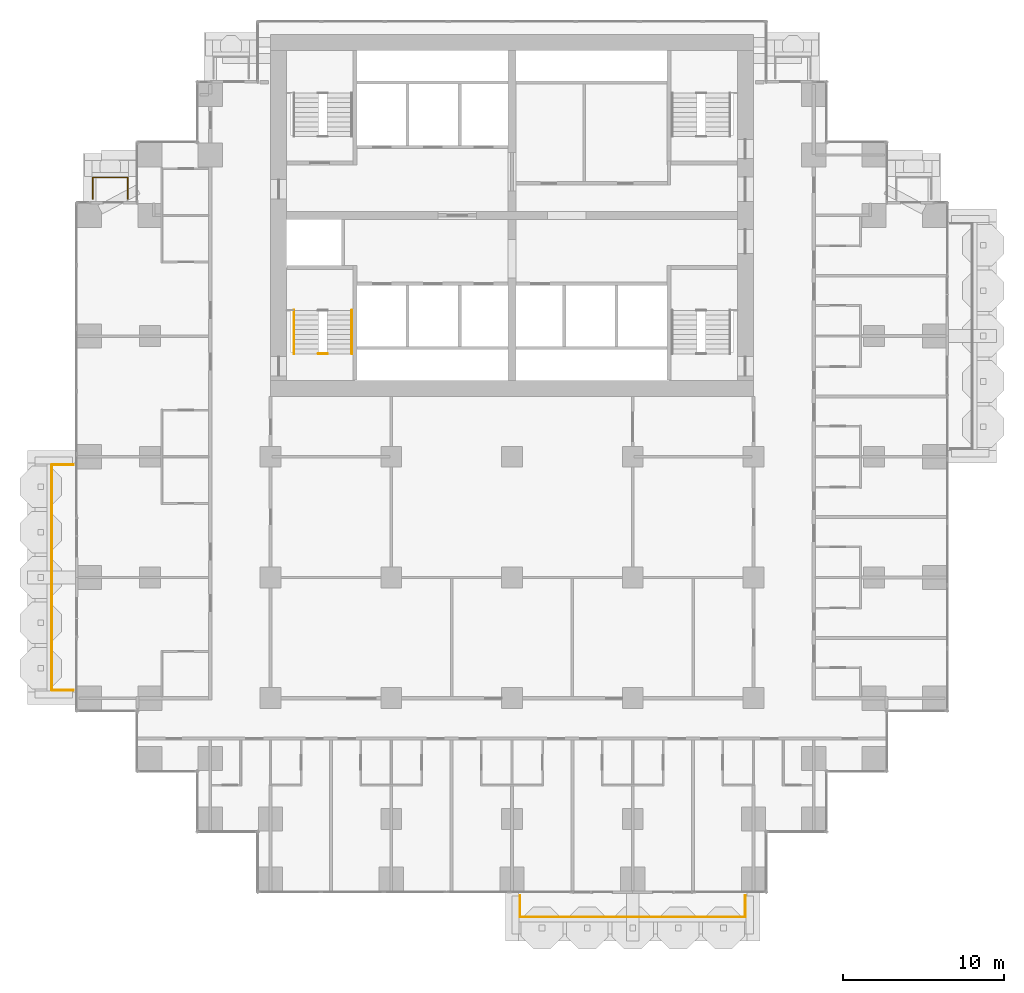
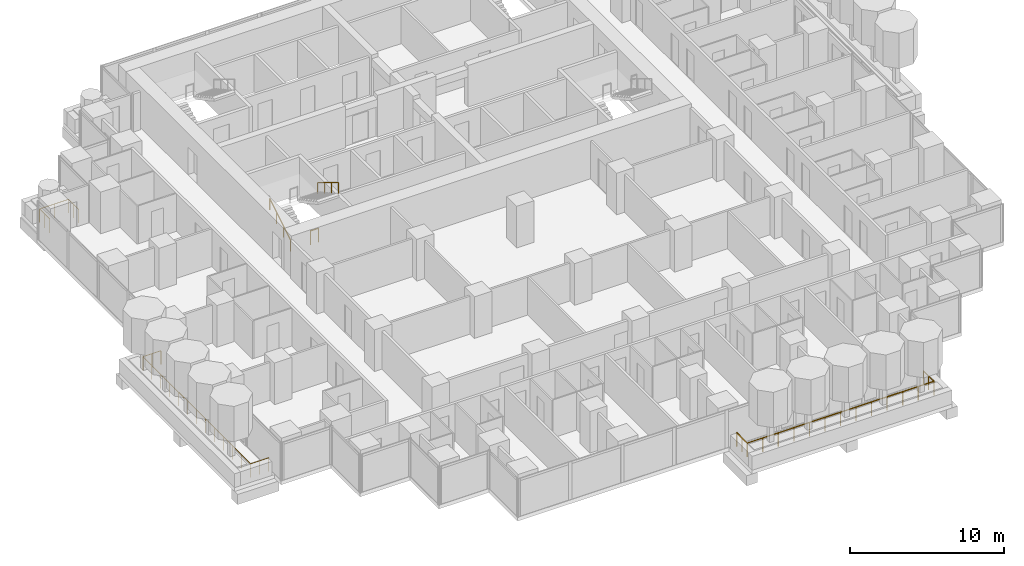
# One storey, part 18 of 20: 6 railings.
"""IFC4 building model written with IfcOpenShell, lengths in metres."""

from ifc_helpers import new_model, si_unit, direction, frame, origin, origin_2d, place, context, subcontext, project, spatial, circle, extrude, material, type_object, element, save


model = new_model("IFC4")

# Units and contexts
model_context = context("Model", 3, precision=1e-05, world=origin(), true_north=direction((0.0, 1.0)))
body_context = subcontext(model_context, "Body", "Model", "MODEL_VIEW")
ifc_project = project(units=[si_unit("LENGTHUNIT", "METRE"), si_unit("AREAUNIT", "SQUARE_METRE"), si_unit("VOLUMEUNIT", "CUBIC_METRE"), si_unit("PLANEANGLEUNIT", "RADIAN"), si_unit("MASSUNIT", "GRAM", prefix="KILO")], contexts=[model_context])

# Site, building, storey
site_placement = place(None, origin())
site = spatial("IfcSite", under=ifc_project, at=site_placement, CompositionType="ELEMENT")
building_placement = place(site_placement, origin())
building = spatial("IfcBuilding", under=site, at=building_placement, Name="Pilkhan Gate Tower", CompositionType="ELEMENT")
storey_placement = place(building_placement, frame((0.0, 0.0, 92.300048828125)))
storey = spatial("IfcBuildingStorey", under=building, at=storey_placement, Name="L22", CompositionType="ELEMENT", Elevation=92.300048828125)

# Railings
ifc_material_1 = material(Name="Pale anodised aluminium posts, laminated glass infill", Category="aluminium")
railing_type_1 = type_object("IfcRailingType", Name="Balcony guard G1", PredefinedType="BALUSTRADE", material=ifc_material_1)
railing_1_placement = place(storey_placement, frame((75.5, 40.25, 0.0)))
element("IfcRailing", 1, at=railing_1_placement, inside=storey, type_object=railing_type_1, Name="Balcony guard L22 S", PredefinedType="BALUSTRADE", context=body_context, shape_type="SweptSolid", body=[
    extrude(circle(Radius=0.02392578125, at=origin_2d()), frame((0.0, 0.0, 1.076171875), z_axis=(0.0, -1.0, 0.0), x_axis=(1.0, 0.0, 0.0)), (0.0, 0.0, 1.0), 1.35009765625),
    extrude(circle(Radius=0.02392578125, at=origin_2d()), frame((0.0, -1.35009765625, 1.076171875), z_axis=(1.0, 0.0, 0.0), x_axis=(0.0, 1.0, 0.0)), (0.0, 0.0, 1.0), 14.0),
    extrude(circle(Radius=0.02392578125, at=origin_2d()), frame((14.0, -1.35009765625, 1.076171875), z_axis=(0.0, 1.0, 0.0), x_axis=(-1.0, 0.0, 0.0)), (0.0, 0.0, 1.0), 1.35009765625),
    extrude(circle(Radius=0.02099609375, at=origin_2d()), origin(), (0.0, 0.0, 1.0), 1.052001953125),
    extrude(circle(Radius=0.02099609375, at=origin_2d()), frame((0.0, -0.675048828125, 0.0)), (0.0, 0.0, 1.0), 1.052001953125),
    extrude(circle(Radius=0.02099609375, at=origin_2d()), frame((0.0, -1.35009765625, 0.0)), (0.0, 0.0, 1.0), 1.052001953125),
    extrude(circle(Radius=0.02099609375, at=origin_2d()), frame((1.166748046875, -1.35009765625, 0.0)), (0.0, 0.0, 1.0), 1.052001953125),
    extrude(circle(Radius=0.02099609375, at=origin_2d()), frame((2.333251953125, -1.35009765625, 0.0)), (0.0, 0.0, 1.0), 1.052001953125),
    extrude(circle(Radius=0.02099609375, at=origin_2d()), frame((3.5, -1.35009765625, 0.0)), (0.0, 0.0, 1.0), 1.052001953125),
    extrude(circle(Radius=0.02099609375, at=origin_2d()), frame((4.666748046875, -1.35009765625, 0.0)), (0.0, 0.0, 1.0), 1.052001953125),
    extrude(circle(Radius=0.02099609375, at=origin_2d()), frame((5.833251953125, -1.35009765625, 0.0)), (0.0, 0.0, 1.0), 1.052001953125),
    extrude(circle(Radius=0.02099609375, at=origin_2d()), frame((7.0, -1.35009765625, 0.0)), (0.0, 0.0, 1.0), 1.052001953125),
    extrude(circle(Radius=0.02099609375, at=origin_2d()), frame((8.166748046875, -1.35009765625, 0.0)), (0.0, 0.0, 1.0), 1.052001953125),
    extrude(circle(Radius=0.02099609375, at=origin_2d()), frame((9.333251953125, -1.35009765625, 0.0)), (0.0, 0.0, 1.0), 1.052001953125),
    extrude(circle(Radius=0.02099609375, at=origin_2d()), frame((10.5, -1.35009765625, 0.0)), (0.0, 0.0, 1.0), 1.052001953125),
    extrude(circle(Radius=0.02099609375, at=origin_2d()), frame((11.666748046875, -1.35009765625, 0.0)), (0.0, 0.0, 1.0), 1.052001953125),
    extrude(circle(Radius=0.02099609375, at=origin_2d()), frame((12.833251953125, -1.35009765625, 0.0)), (0.0, 0.0, 1.0), 1.052001953125),
    extrude(circle(Radius=0.02099609375, at=origin_2d()), frame((14.0, -1.35009765625, 0.0)), (0.0, 0.0, 1.0), 1.052001953125),
    extrude(circle(Radius=0.02099609375, at=origin_2d()), frame((14.0, -0.675048828125, 0.0)), (0.0, 0.0, 1.0), 1.052001953125),
    extrude(circle(Radius=0.02099609375, at=origin_2d()), frame((14.0, 0.0, 0.0)), (0.0, 0.0, 1.0), 1.052001953125),
])
railing_2_placement = place(storey_placement, frame((48.949951171875, 83.52001953125, 0.0)))
element("IfcRailing", 2, at=railing_2_placement, inside=storey, type_object=railing_type_1, Name="Balcony guard L22 N", PredefinedType="BALUSTRADE", context=body_context, shape_type="SweptSolid", body=[
    extrude(circle(Radius=0.02392578125, at=origin_2d()), frame((0.0, 0.0, 1.076171875), z_axis=(0.0, 1.0, 0.0), x_axis=(-1.0, 0.0, 0.0)), (0.0, 0.0, 1.0), 1.330078125),
    extrude(circle(Radius=0.02392578125, at=origin_2d()), frame((0.0, 1.330078125, 1.076171875), z_axis=(1.0, 0.0, 0.0), x_axis=(0.0, 1.0, 0.0)), (0.0, 0.0, 1.0), 2.179931640625),
    extrude(circle(Radius=0.02392578125, at=origin_2d()), frame((2.179931640625, 1.330078125, 1.076171875), z_axis=(0.0, -1.0, 0.0), x_axis=(1.0, 0.0, 0.0)), (0.0, 0.0, 1.0), 1.330078125),
    extrude(circle(Radius=0.02099609375, at=origin_2d()), origin(), (0.0, 0.0, 1.0), 1.052001953125),
    extrude(circle(Radius=0.02099609375, at=origin_2d()), frame((0.0, 0.6650390625, 0.0)), (0.0, 0.0, 1.0), 1.052001953125),
    extrude(circle(Radius=0.02099609375, at=origin_2d()), frame((0.0, 1.330078125, 0.0)), (0.0, 0.0, 1.0), 1.052001953125),
    extrude(circle(Radius=0.02099609375, at=origin_2d()), frame((1.08984375, 1.330078125, 0.0)), (0.0, 0.0, 1.0), 1.052001953125),
    extrude(circle(Radius=0.02099609375, at=origin_2d()), frame((2.179931640625, 1.330078125, 0.0)), (0.0, 0.0, 1.0), 1.052001953125),
    extrude(circle(Radius=0.02099609375, at=origin_2d()), frame((2.179931640625, 0.6650390625, 0.0)), (0.0, 0.0, 1.0), 1.052001953125),
    extrude(circle(Radius=0.02099609375, at=origin_2d()), frame((2.179931640625, 0.0, 0.0)), (0.0, 0.0, 1.0), 1.052001953125),
])
railing_3_placement = place(storey_placement, frame((47.75, 53.0, 0.0)))
element("IfcRailing", 3, at=railing_3_placement, inside=storey, type_object=railing_type_1, Name="Balcony guard L22 W", PredefinedType="BALUSTRADE", context=body_context, shape_type="SweptSolid", body=[
    extrude(circle(Radius=0.02392578125, at=origin_2d()), frame((0.0, 0.0, 1.076171875), z_axis=(-1.0, 0.0, 0.0), x_axis=(0.0, -1.0, 0.0)), (0.0, 0.0, 1.0), 1.35009765625),
    extrude(circle(Radius=0.02392578125, at=origin_2d()), frame((-1.35009765625, 0.0, 1.076171875), z_axis=(0.0, 1.0, 0.0), x_axis=(-1.0, 0.0, 0.0)), (0.0, 0.0, 1.0), 14.0),
    extrude(circle(Radius=0.02392578125, at=origin_2d()), frame((-1.35009765625, 14.0, 1.076171875), z_axis=(1.0, 0.0, 0.0), x_axis=(0.0, 1.0, 0.0)), (0.0, 0.0, 1.0), 1.35009765625),
    extrude(circle(Radius=0.02099609375, at=origin_2d()), origin(), (0.0, 0.0, 1.0), 1.052001953125),
    extrude(circle(Radius=0.02099609375, at=origin_2d()), frame((-0.675048828125, 0.0, 0.0)), (0.0, 0.0, 1.0), 1.052001953125),
    extrude(circle(Radius=0.02099609375, at=origin_2d()), frame((-1.35009765625, 0.0, 0.0)), (0.0, 0.0, 1.0), 1.052001953125),
    extrude(circle(Radius=0.02099609375, at=origin_2d()), frame((-1.35009765625, 1.166748046875, 0.0)), (0.0, 0.0, 1.0), 1.052001953125),
    extrude(circle(Radius=0.02099609375, at=origin_2d()), frame((-1.35009765625, 2.333251953125, 0.0)), (0.0, 0.0, 1.0), 1.052001953125),
    extrude(circle(Radius=0.02099609375, at=origin_2d()), frame((-1.35009765625, 3.5, 0.0)), (0.0, 0.0, 1.0), 1.052001953125),
    extrude(circle(Radius=0.02099609375, at=origin_2d()), frame((-1.35009765625, 4.666748046875, 0.0)), (0.0, 0.0, 1.0), 1.052001953125),
    extrude(circle(Radius=0.02099609375, at=origin_2d()), frame((-1.35009765625, 5.833251953125, 0.0)), (0.0, 0.0, 1.0), 1.052001953125),
    extrude(circle(Radius=0.02099609375, at=origin_2d()), frame((-1.35009765625, 7.0, 0.0)), (0.0, 0.0, 1.0), 1.052001953125),
    extrude(circle(Radius=0.02099609375, at=origin_2d()), frame((-1.35009765625, 8.166748046875, 0.0)), (0.0, 0.0, 1.0), 1.052001953125),
    extrude(circle(Radius=0.02099609375, at=origin_2d()), frame((-1.35009765625, 9.333251953125, 0.0)), (0.0, 0.0, 1.0), 1.052001953125),
    extrude(circle(Radius=0.02099609375, at=origin_2d()), frame((-1.35009765625, 10.5, 0.0)), (0.0, 0.0, 1.0), 1.052001953125),
    extrude(circle(Radius=0.02099609375, at=origin_2d()), frame((-1.35009765625, 11.666748046875, 0.0)), (0.0, 0.0, 1.0), 1.052001953125),
    extrude(circle(Radius=0.02099609375, at=origin_2d()), frame((-1.35009765625, 12.833251953125, 0.0)), (0.0, 0.0, 1.0), 1.052001953125),
    extrude(circle(Radius=0.02099609375, at=origin_2d()), frame((-1.35009765625, 14.0, 0.0)), (0.0, 0.0, 1.0), 1.052001953125),
    extrude(circle(Radius=0.02099609375, at=origin_2d()), frame((-0.675048828125, 14.0, 0.0)), (0.0, 0.0, 1.0), 1.052001953125),
    extrude(circle(Radius=0.02099609375, at=origin_2d()), frame((0.0, 14.0, 0.0)), (0.0, 0.0, 1.0), 1.052001953125),
])
ifc_material_2 = material(Name="Black powder-coated steel tube", Category="steel")
railing_type_2 = type_object("IfcRailingType", Name="Stair handrail HR1", PredefinedType="HANDRAIL", material=ifc_material_2)
railing_4_placement = place(storey_placement, frame((61.449951171875, 73.89990234375, 0.0)))
element("IfcRailing", 4, at=railing_4_placement, inside=storey, type_object=railing_type_2, Name="Stair ST2 handrail L22", PredefinedType="HANDRAIL", context=body_context, shape_type="SweptSolid", body=[
    extrude(circle(Radius=0.02392578125, at=origin_2d()), frame((0.0, 0.0, 0.8759765625), z_axis=(0.0, 0.853312346642, 0.521400075823), x_axis=(-1.0, 0.0, 0.0)), (0.0, 0.0, 1.0), 3.164306640625),
    extrude(circle(Radius=0.02099609375, at=origin_2d()), origin(), (0.0, 0.0, 1.0), 0.851806640625),
    extrude(circle(Radius=0.02099609375, at=origin_2d()), frame((0.0, 0.900146484375, 0.550048828125)), (0.0, 0.0, 1.0), 0.851806640625),
    extrude(circle(Radius=0.02099609375, at=origin_2d()), frame((0.0, 1.800048828125, 1.099853515625)), (0.0, 0.0, 1.0), 0.851806640625),
    extrude(circle(Radius=0.02099609375, at=origin_2d()), frame((0.0, 2.7001953125, 1.64990234375)), (0.0, 0.0, 1.0), 0.851806640625),
])
railing_5_placement = place(storey_placement, frame((65.050048828125, 76.60009765625, 1.64990234375)))
element("IfcRailing", 5, at=railing_5_placement, inside=storey, type_object=railing_type_2, Name="Stair ST2 handrail L22", PredefinedType="HANDRAIL", context=body_context, shape_type="SweptSolid", body=[
    extrude(circle(Radius=0.02392578125, at=origin_2d()), frame((0.0, 0.0, 0.8759765625), z_axis=(0.0, -0.853278019476, 0.521456250781), x_axis=(1.0, 0.0, 0.0)), (0.0, 0.0, 1.0), 3.16455078125),
    extrude(circle(Radius=0.02099609375, at=origin_2d()), origin(), (0.0, 0.0, 1.0), 0.851806640625),
    extrude(circle(Radius=0.02099609375, at=origin_2d()), frame((0.0, -0.900146484375, 0.550048828125)), (0.0, 0.0, 1.0), 0.851806640625),
    extrude(circle(Radius=0.02099609375, at=origin_2d()), frame((0.0, -1.800048828125, 1.10009765625)), (0.0, 0.0, 1.0), 0.851806640625),
    extrude(circle(Radius=0.02099609375, at=origin_2d()), frame((0.0, -2.7001953125, 1.650146484375)), (0.0, 0.0, 1.0), 0.851806640625),
])
ifc_material_3 = material(Name="Black powder-coated steel balusters", Category="steel")
railing_type_3 = type_object("IfcRailingType", Name="Stair well guard G3", PredefinedType="GUARDRAIL", material=ifc_material_3)
railing_6_placement = place(storey_placement, frame((62.9599609375, 73.89990234375, 0.0)))
element("IfcRailing", 6, at=railing_6_placement, inside=storey, type_object=railing_type_3, Name="Stair ST2 well guard L22", PredefinedType="GUARDRAIL", context=body_context, shape_type="SweptSolid", body=[
    extrude(circle(Radius=0.02392578125, at=origin_2d()), frame((0.0, 0.0, 1.076171875), z_axis=(1.0, 0.0, 0.0), x_axis=(0.0, 1.0, 0.0)), (0.0, 0.0, 1.0), 0.580078125),
    extrude(circle(Radius=0.02099609375, at=origin_2d()), origin(), (0.0, 0.0, 1.0), 1.052001953125),
    extrude(circle(Radius=0.02099609375, at=origin_2d()), frame((0.580078125, 0.0, 0.0)), (0.0, 0.0, 1.0), 1.052001953125),
])

save(model, "model.ifc")
